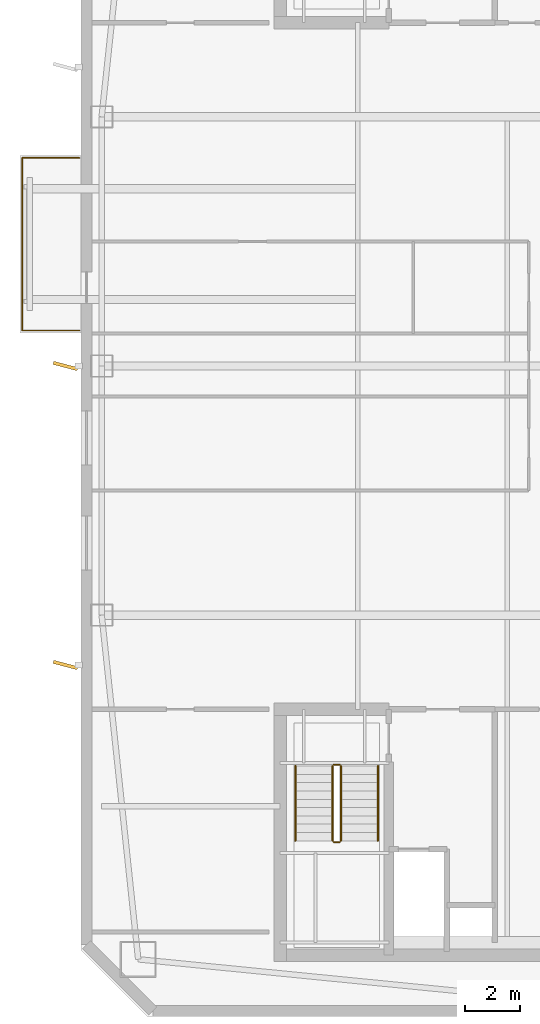
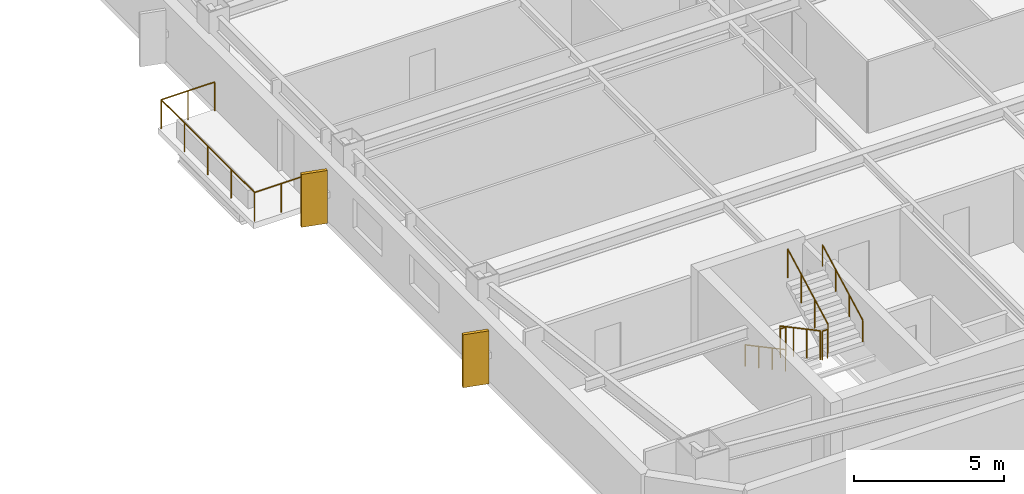
# One storey, part 13 of 17: 7 railings, 2 shading devices.
"""IFC4 building model written with IfcOpenShell, lengths in metres."""

from ifc_helpers import new_model, si_unit, direction, frame, origin, origin_2d, place, context, subcontext, project, spatial, rectangle, circle, extrude, material, layer, layer_set, type_object, element, save


model = new_model("IFC4")

# Units and contexts
model_context = context("Model", 3, precision=1e-05, world=origin(), true_north=direction((0.0, 1.0)))
body_context = subcontext(model_context, "Body", "Model", "MODEL_VIEW")
ifc_project = project(units=[si_unit("LENGTHUNIT", "METRE"), si_unit("AREAUNIT", "SQUARE_METRE"), si_unit("VOLUMEUNIT", "CUBIC_METRE"), si_unit("PLANEANGLEUNIT", "RADIAN"), si_unit("MASSUNIT", "GRAM", prefix="KILO")], contexts=[model_context])

# Site, building, storey
site_placement = place(None, origin())
site = spatial("IfcSite", under=ifc_project, at=site_placement, CompositionType="ELEMENT")
building_placement = place(site_placement, origin())
building = spatial("IfcBuilding", under=site, at=building_placement, Name="Qiaolan Cultural Towers", CompositionType="ELEMENT")
storey_placement = place(building_placement, frame((0.0, 0.0, 247.199951171875)))
storey = spatial("IfcBuildingStorey", under=building, at=storey_placement, Name="L67", CompositionType="ELEMENT", Elevation=247.199951171875)

# Railings
ifc_material_1 = material(Name="Laminated SentryGlas & Stainless Steel S31608 Balustrade", Category="steel")
railing_type_1 = type_object("IfcRailingType", Name="GRD-TERR-1200", PredefinedType="BALUSTRADE", material=ifc_material_1)
railing_1_placement = place(storey_placement, frame((14.550048828125, 35.280029296875, 0.0)))
element("IfcRailing", 1, at=railing_1_placement, inside=storey, type_object=railing_type_1, Name="L67 T1 Tree Balcony Guardrail W", PredefinedType="BALUSTRADE", context=body_context, shape_type="SweptSolid", body=[
    extrude(circle(Radius=0.02392578125, at=origin_2d()), frame((0.0, 0.0, 1.17578125), z_axis=(-1.0, 0.0, 0.0), x_axis=(0.0, -1.0, 0.0)), (0.0, 0.0, 1.0), 2.070068359375),
    extrude(circle(Radius=0.02392578125, at=origin_2d()), frame((-2.070068359375, 0.0, 1.17578125), z_axis=(0.0, 1.0, 0.0), x_axis=(-1.0, 0.0, 0.0)), (0.0, 0.0, 1.0), 6.239990234375),
    extrude(circle(Radius=0.02392578125, at=origin_2d()), frame((-2.070068359375, 6.239990234375, 1.17578125), z_axis=(1.0, 0.0, 0.0), x_axis=(0.0, 1.0, 0.0)), (0.0, 0.0, 1.0), 2.070068359375),
    extrude(circle(Radius=0.02099609375, at=origin_2d()), origin(), (0.0, 0.0, 1.0), 1.15185546875),
    extrude(circle(Radius=0.02099609375, at=origin_2d()), frame((-1.03515625, 0.0, 0.0)), (0.0, 0.0, 1.0), 1.15185546875),
    extrude(circle(Radius=0.02099609375, at=origin_2d()), frame((-2.070068359375, 0.0, 0.0)), (0.0, 0.0, 1.0), 1.15185546875),
    extrude(circle(Radius=0.02099609375, at=origin_2d()), frame((-2.070068359375, 1.56005859375, 0.0)), (0.0, 0.0, 1.0), 1.15185546875),
    extrude(circle(Radius=0.02099609375, at=origin_2d()), frame((-2.070068359375, 3.1201171875, 0.0)), (0.0, 0.0, 1.0), 1.15185546875),
    extrude(circle(Radius=0.02099609375, at=origin_2d()), frame((-2.070068359375, 4.679931640625, 0.0)), (0.0, 0.0, 1.0), 1.15185546875),
    extrude(circle(Radius=0.02099609375, at=origin_2d()), frame((-2.070068359375, 6.239990234375, 0.0)), (0.0, 0.0, 1.0), 1.15185546875),
    extrude(circle(Radius=0.02099609375, at=origin_2d()), frame((-1.03515625, 6.239990234375, 0.0)), (0.0, 0.0, 1.0), 1.15185546875),
    extrude(circle(Radius=0.02099609375, at=origin_2d()), frame((0.0, 6.239990234375, 0.0)), (0.0, 0.0, 1.0), 1.15185546875),
])
ifc_material_2 = material(Name="Galvanized Painted Steel Stair Guardrail", Category="steel")
railing_type_2 = type_object("IfcRailingType", Name="RL-STAIR-GRD", PredefinedType="GUARDRAIL", material=ifc_material_2)
railing_2_placement = place(storey_placement, frame((23.68994140625, 19.550048828125, 0.16015625)))
element("IfcRailing", 2, at=railing_2_placement, inside=storey, type_object=railing_type_2, Name="L67 ST-W1 stair guard 1", PredefinedType="GUARDRAIL", context=body_context, shape_type="SweptSolid", body=[
    extrude(circle(Radius=0.02392578125, at=origin_2d()), frame((0.0, 0.0, 1.17578125), z_axis=(0.0, -0.882357358376, 0.470579952952), x_axis=(1.0, 0.0, 0.0)), (0.0, 0.0, 1.0), 3.059814453125),
    extrude(circle(Radius=0.02099609375, at=origin_2d()), origin(), (0.0, 0.0, 1.0), 1.15185546875),
    extrude(circle(Radius=0.02099609375, at=origin_2d()), frame((0.0, -0.89990234375, 0.47998046875)), (0.0, 0.0, 1.0), 1.15185546875),
    extrude(circle(Radius=0.02099609375, at=origin_2d()), frame((0.0, -1.800048828125, 0.9599609375)), (0.0, 0.0, 1.0), 1.15185546875),
    extrude(circle(Radius=0.02099609375, at=origin_2d()), frame((0.0, -2.699951171875, 1.43994140625)), (0.0, 0.0, 1.0), 1.15185546875),
])
railing_3_placement = place(storey_placement, frame((23.739990234375, 16.800048828125, 1.60009765625)))
element("IfcRailing", 3, at=railing_3_placement, inside=storey, type_object=railing_type_2, Name="L67 ST-W1 stair guard 2", PredefinedType="GUARDRAIL", context=body_context, shape_type="SweptSolid", body=[
    extrude(circle(Radius=0.02392578125, at=origin_2d()), frame((0.0, 0.0, 1.17578125), z_axis=(1.0, 0.0, 0.0), x_axis=(0.0, 1.0, 0.0)), (0.0, 0.0, 1.0), 0.199951171875),
    extrude(circle(Radius=0.02099609375, at=origin_2d()), origin(), (0.0, 0.0, 1.0), 1.15185546875),
    extrude(circle(Radius=0.02099609375, at=origin_2d()), frame((0.199951171875, 0.0, 0.0)), (0.0, 0.0, 1.0), 1.15185546875),
])
railing_4_placement = place(storey_placement, frame((23.989990234375, 16.85009765625, 1.760009765625)))
element("IfcRailing", 4, at=railing_4_placement, inside=storey, type_object=railing_type_2, Name="L67 ST-W1 stair guard 3", PredefinedType="GUARDRAIL", context=body_context, shape_type="SweptSolid", body=[
    extrude(circle(Radius=0.02392578125, at=origin_2d()), frame((0.0, 0.0, 1.17578125), z_axis=(0.0, 0.882357358376, 0.470579952952), x_axis=(-1.0, 0.0, 0.0)), (0.0, 0.0, 1.0), 3.059814453125),
    extrude(circle(Radius=0.02099609375, at=origin_2d()), origin(), (0.0, 0.0, 1.0), 1.15185546875),
    extrude(circle(Radius=0.02099609375, at=origin_2d()), frame((0.0, 0.89990234375, 0.47998046875)), (0.0, 0.0, 1.0), 1.15185546875),
    extrude(circle(Radius=0.02099609375, at=origin_2d()), frame((0.0, 1.800048828125, 0.9599609375)), (0.0, 0.0, 1.0), 1.15185546875),
    extrude(circle(Radius=0.02099609375, at=origin_2d()), frame((0.0, 2.699951171875, 1.43994140625)), (0.0, 0.0, 1.0), 1.15185546875),
])
railing_5_placement = place(storey_placement, frame((23.739990234375, 19.60009765625, 0.0)))
element("IfcRailing", 5, at=railing_5_placement, inside=storey, type_object=railing_type_2, Name="L67 ST-W1 stair guard 4", PredefinedType="GUARDRAIL", context=body_context, shape_type="SweptSolid", body=[
    extrude(circle(Radius=0.02392578125, at=origin_2d()), frame((0.0, 0.0, 1.17578125), z_axis=(1.0, 0.0, 0.0), x_axis=(0.0, 1.0, 0.0)), (0.0, 0.0, 1.0), 0.199951171875),
    extrude(circle(Radius=0.02099609375, at=origin_2d()), origin(), (0.0, 0.0, 1.0), 1.15185546875),
    extrude(circle(Radius=0.02099609375, at=origin_2d()), frame((0.199951171875, 0.0, 0.0)), (0.0, 0.0, 1.0), 1.15185546875),
])
ifc_material_3 = material(Name="Stainless Steel S30408 Tubular Handrail", Category="steel")
railing_type_3 = type_object("IfcRailingType", Name="RL-STAIR-HR", PredefinedType="HANDRAIL", material=ifc_material_3)
railing_6_placement = place(storey_placement, frame((22.35009765625, 19.550048828125, 0.16015625)))
element("IfcRailing", 6, at=railing_6_placement, inside=storey, type_object=railing_type_3, Name="L67 ST-W1 stair handrail 1", PredefinedType="HANDRAIL", context=body_context, shape_type="SweptSolid", body=[
    extrude(circle(Radius=0.02392578125, at=origin_2d()), frame((0.0, 0.0, 0.8759765625), z_axis=(0.0, -0.882357358376, 0.470579952952), x_axis=(1.0, 0.0, 0.0)), (0.0, 0.0, 1.0), 3.059814453125),
    extrude(circle(Radius=0.02099609375, at=origin_2d()), origin(), (0.0, 0.0, 1.0), 0.851806640625),
    extrude(circle(Radius=0.02099609375, at=origin_2d()), frame((0.0, -0.89990234375, 0.47998046875)), (0.0, 0.0, 1.0), 0.851806640625),
    extrude(circle(Radius=0.02099609375, at=origin_2d()), frame((0.0, -1.800048828125, 0.9599609375)), (0.0, 0.0, 1.0), 0.851806640625),
    extrude(circle(Radius=0.02099609375, at=origin_2d()), frame((0.0, -2.699951171875, 1.43994140625)), (0.0, 0.0, 1.0), 0.851806640625),
])
railing_7_placement = place(storey_placement, frame((25.330078125, 16.85009765625, 1.760009765625)))
element("IfcRailing", 7, at=railing_7_placement, inside=storey, type_object=railing_type_3, Name="L67 ST-W1 stair handrail 2", PredefinedType="HANDRAIL", context=body_context, shape_type="SweptSolid", body=[
    extrude(circle(Radius=0.02392578125, at=origin_2d()), frame((0.0, 0.0, 0.8759765625), z_axis=(0.0, 0.882357358376, 0.470579952952), x_axis=(-1.0, 0.0, 0.0)), (0.0, 0.0, 1.0), 3.059814453125),
    extrude(circle(Radius=0.02099609375, at=origin_2d()), origin(), (0.0, 0.0, 1.0), 0.851806640625),
    extrude(circle(Radius=0.02099609375, at=origin_2d()), frame((0.0, 0.89990234375, 0.47998046875)), (0.0, 0.0, 1.0), 0.851806640625),
    extrude(circle(Radius=0.02099609375, at=origin_2d()), frame((0.0, 1.800048828125, 0.9599609375)), (0.0, 0.0, 1.0), 0.851806640625),
    extrude(circle(Radius=0.02099609375, at=origin_2d()), frame((0.0, 2.699951171875, 1.43994140625)), (0.0, 0.0, 1.0), 0.851806640625),
])

# Shading devices
ifc_material_4 = material(Name="Light Limestone Precast Vertical Fin", Category="masonry")
ifc_layer = layer(ifc_material_4, 0.1201171875)
ifc_layer_set = layer_set([ifc_layer], Name="Light Limestone Precast Vertical Fin")
shading_device_type = type_object("IfcShadingDeviceType", Name="SHD-FIN-WHITE", PredefinedType="USERDEFINED", material=ifc_layer_set)
for number, where, z_axis, x_axis, name in (
    (8, (14.0400390625, 23.199951171875, 0.10009765625), (0.0, 0.0, 1.0), (0.966947591282, -0.254975206077, 0.0), "L67 T1 Expressive Precast Vertical Fin W1"),
    (9, (14.0400390625, 34.0, 0.10009765625), (0.0, 0.0, 1.0), (0.966947591282, -0.254975206077, 0.0), "L67 T1 Expressive Precast Vertical Fin W2"),
):
    element("IfcShadingDevice", number, at=place(storey_placement, frame(where, z_axis=z_axis, x_axis=x_axis)), inside=storey, type_object=shading_device_type, Name=name, ObjectType="FIN", PredefinedType="USERDEFINED", context=body_context, shape_type="SweptSolid", body=[
        extrude(rectangle(XDim=0.89990234375, YDim=0.1201171875, at=origin_2d()), origin(), (0.0, 0.0, 1.0), 2.159912109375),
    ])

save(model, "model.ifc")
